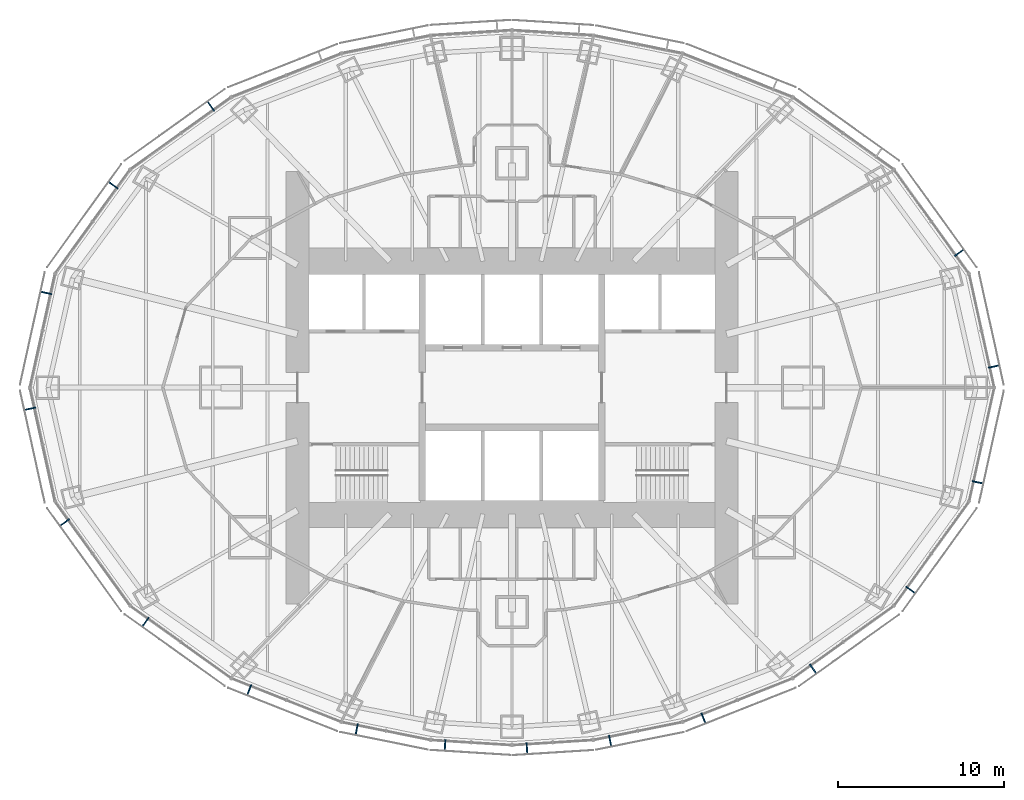
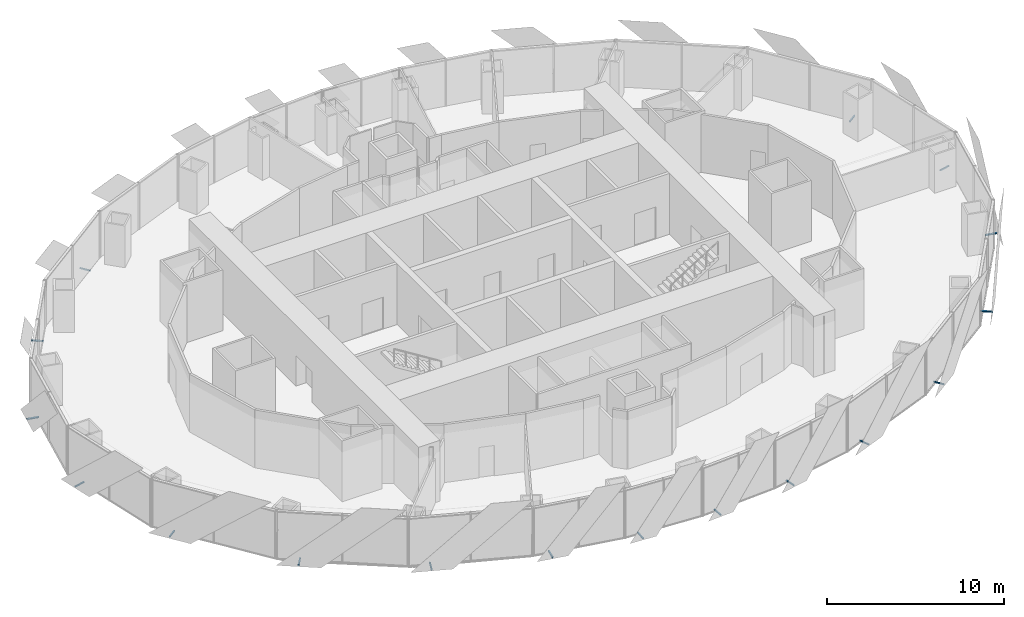
# One storey, part 14 of 18: 17 discrete accessories.
"""IFC4 building model written with IfcOpenShell, lengths in metres."""

from ifc_helpers import new_model, si_unit, direction, frame, origin, origin_2d, place, context, subcontext, project, spatial, rectangle, extrude, element, save


model = new_model("IFC4")

# Units and contexts
model_context = context("Model", 3, precision=1e-05, world=origin(), true_north=direction((0.0, 1.0)))
body_context = subcontext(model_context, "Body", "Model", "MODEL_VIEW")
ifc_project = project(units=[si_unit("LENGTHUNIT", "METRE"), si_unit("AREAUNIT", "SQUARE_METRE"), si_unit("VOLUMEUNIT", "CUBIC_METRE"), si_unit("PLANEANGLEUNIT", "RADIAN"), si_unit("MASSUNIT", "GRAM", prefix="KILO")], contexts=[model_context])

# Site, building, storey
site_placement = place(None, origin())
site = spatial("IfcSite", under=ifc_project, at=site_placement, CompositionType="ELEMENT")
building_placement = place(site_placement, origin())
building = spatial("IfcBuilding", under=site, at=building_placement, Name="Lantaw Convention Tower", CompositionType="ELEMENT")
storey_placement = place(building_placement, frame((0.0, 0.0, 188.800048828125)))
storey = spatial("IfcBuildingStorey", under=building, at=storey_placement, Name="L44", CompositionType="ELEMENT", Elevation=188.800048828125)

# Discrete accessories
for number, where, z_axis, x_axis, name in (
    (1, (28.98486328125, 1.269775390625, -0.114990234375), (0.0, 0.0, 1.0), (-0.215546166174, 0.9764936509, 0.0), "Screen bracket"),
    (2, (26.900146484375, 8.111572265625, -0.114990234375), (0.0, 0.0, 1.0), (-0.584512597221, 0.811384633629, 0.0), "Screen bracket"),
    (3, (-18.10791015625, 16.922607421875, -0.114990234375), (0.0, 0.0, 1.0), (-0.813208325995, -0.581972695693, 0.0), "Screen bracket"),
    (4, (-23.9765625, 12.169677734375, -0.114990234375), (0.0, 0.0, 1.0), (-0.584512597221, -0.811384633629, 0.0), "Screen bracket"),
    (5, (-28.008056640625, 5.6953125, -0.114990234375), (0.0, 0.0, 1.0), (-0.215546166174, -0.9764936509, 0.0), "Screen bracket"),
    (6, (-28.98486328125, -1.269775390625, -0.114990234375), (0.0, 0.0, 1.0), (0.215546166174, -0.9764936509, 0.0), "Screen bracket"),
    (7, (-26.900146484375, -8.111572265625, -0.114990234375), (0.0, 0.0, 1.0), (0.584512597221, -0.811384633629, 0.0), "Screen bracket"),
    (8, (-22.044189453125, -14.10546875, -0.114990234375), (0.0, 0.0, 1.0), (0.813208325995, -0.581972695693, 0.0), "Screen bracket"),
    (9, (-15.802978515625, -18.18798828125, -0.114990234375), (0.0, 0.0, 1.0), (0.929547687544, -0.368701907483, 0.0), "Screen bracket"),
    (10, (-9.339599609375, -20.56005859375, -0.114990234375), (0.0, 0.0, 1.0), (0.980301514912, -0.197506809659, 0.0), "Screen bracket"),
    (11, (-4.027099609375, -21.505859375, -0.114990234375), (0.0, 0.0, 1.0), (0.998022035978, -0.062865059466, 0.0), "Screen bracket"),
    (12, (0.89794921875, -21.702880859375, -0.114990234375), (0.0, 0.0, 1.0), (0.998022035978, 0.062865059466, 0.0), "Screen bracket"),
    (13, (5.903076171875, -21.25244140625, -0.114990234375), (0.0, 0.0, 1.0), (0.980301514912, 0.197506809659, 0.0), "Screen bracket"),
    (14, (11.517822265625, -19.887939453125, -0.114990234375), (0.0, 0.0, 1.0), (0.929547687544, 0.368701907483, 0.0), "Screen bracket"),
    (15, (18.10791015625, -16.922607421875, -0.114990234375), (0.0, 0.0, 1.0), (0.813208325995, 0.581972695693, 0.0), "Screen bracket"),
    (16, (23.9765625, -12.169677734375, -0.114990234375), (0.0, 0.0, 1.0), (0.584512597221, 0.811384633629, 0.0), "Screen bracket"),
    (17, (28.008056640625, -5.6953125, -0.114990234375), (0.0, 0.0, 1.0), (0.215546166174, 0.9764936509, 0.0), "Screen bracket"),
):
    element("IfcDiscreteAccessory", number, at=place(storey_placement, frame(where, z_axis=z_axis, x_axis=x_axis)), inside=storey, Name=name, PredefinedType="BRACKET", context=body_context, shape_type="SweptSolid", body=[
        extrude(rectangle(XDim=0.080078125, YDim=0.68798828125, at=origin_2d()), origin(), (0.0, 0.0, 1.0), 0.080078125),
    ])

save(model, "model.ifc")
